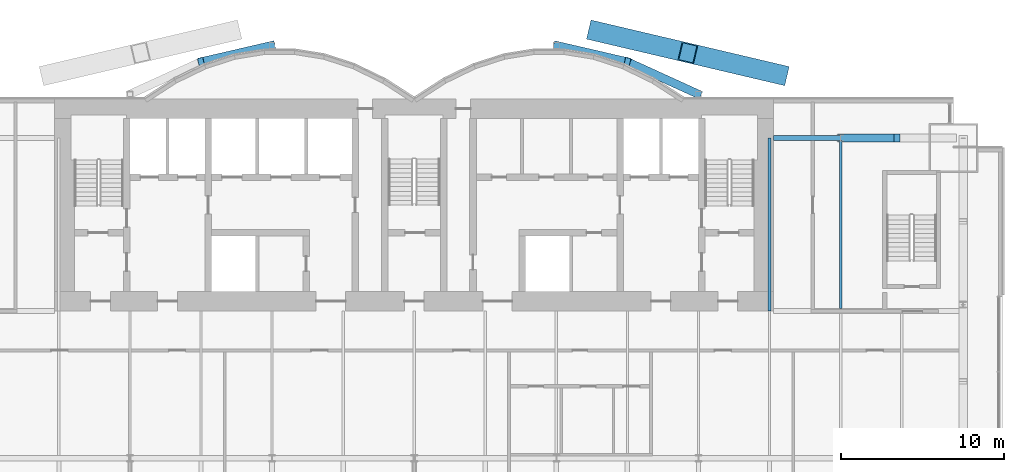
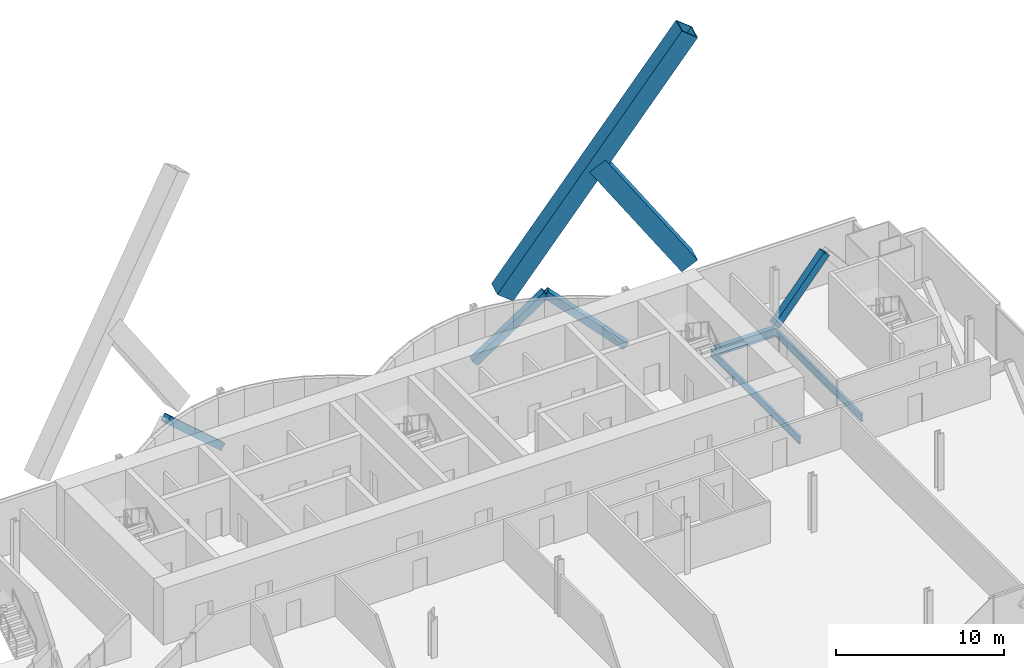
# One storey, part 12 of 22: 6 members, 3 beams.
"""IFC4 building model written with IfcOpenShell, lengths in metres."""

from ifc_helpers import new_model, si_unit, direction, frame, origin, origin_2d, place, context, subcontext, project, spatial, hollow_rectangle, i_section, extrude, material, material_profile, profile_set, type_object, element, save


model = new_model("IFC4")

# Units and contexts
model_context = context("Model", 3, precision=1e-05, world=origin(), true_north=direction((0.0, 1.0)))
body_context = subcontext(model_context, "Body", "Model", "MODEL_VIEW")
ifc_project = project(units=[si_unit("LENGTHUNIT", "METRE"), si_unit("AREAUNIT", "SQUARE_METRE"), si_unit("VOLUMEUNIT", "CUBIC_METRE"), si_unit("PLANEANGLEUNIT", "RADIAN"), si_unit("MASSUNIT", "GRAM", prefix="KILO")], contexts=[model_context])

# Site, building, storey
site_placement = place(None, origin())
site = spatial("IfcSite", under=ifc_project, at=site_placement, CompositionType="ELEMENT")
building_placement = place(site_placement, origin())
building = spatial("IfcBuilding", under=site, at=building_placement, Name="Bicima Exchange Tower", CompositionType="ELEMENT")
storey_placement = place(building_placement, frame((0.0, 0.0, 102.199951171875)))
storey = spatial("IfcBuildingStorey", under=building, at=storey_placement, Name="L21", CompositionType="ELEMENT", Elevation=102.199951171875)

# Members
ifc_material_1 = material(Name="Steel ASTM A572 Gr 50", Category="steel")
ifc_material_profile_1 = material_profile(ifc_material_1, hollow_rectangle(XDim=1.199951171875, YDim=1.199951171875, WallThickness=0.070068359375, at=origin_2d()))
ifc_profile_set_1 = profile_set([ifc_material_profile_1], Name="Steel ASTM A572 Gr 50")
member_type_1 = type_object("IfcMemberType", Name="Exo mega brace BOX 1200x1200x70", PredefinedType="BRACE", material=ifc_profile_set_1)
member_1_placement = place(storey_placement, frame((11.166748046875, 4.125, 3.63330078125), z_axis=(0.54817644634, -0.128864251848, 0.826375573377), x_axis=(0.228840031766, 0.973464041381, 0.0)))
element("IfcMember", 1, at=member_1_placement, inside=storey, type_object=member_type_1, Name="Exo mega brace rear", PredefinedType="BRACE", context=body_context, shape_type="SweptSolid", body=[
    extrude(hollow_rectangle(XDim=1.199951171875, YDim=1.199951171875, WallThickness=0.070068359375, at=origin_2d()), origin(), (0.0, 0.0, 1.0), 20.370361328125),
])
member_2_placement = place(storey_placement, frame((22.333251953125, 1.5, 3.63330078125), z_axis=(-0.54817644634, 0.128864251848, 0.826375573377), x_axis=(-0.228840031766, -0.973464041381, 0.0)))
element("IfcMember", 2, at=member_2_placement, inside=storey, type_object=member_type_1, Name="Exo mega brace rear", PredefinedType="BRACE", context=body_context, shape_type="SweptSolid", body=[
    extrude(hollow_rectangle(XDim=1.199951171875, YDim=1.199951171875, WallThickness=0.070068359375, at=origin_2d()), origin(), (0.0, 0.0, 1.0), 10.18505859375),
])

# Beams
ifc_material_2 = material(Name="Steel ASTM A992 Gr 50", Category="steel")
ifc_material_profile_2 = material_profile(ifc_material_2, i_section(OverallWidth=0.165771484375, OverallDepth=0.5283203125, WebThickness=0.009765625, FlangeThickness=0.013671875, at=origin_2d()))
ifc_profile_set_2 = profile_set([ifc_material_profile_2], Name="Steel ASTM A992 Gr 50")
beam_type_1 = type_object("IfcBeamType", Name="Floor beam W21x50", PredefinedType="JOIST", material=ifc_profile_set_2)
beam_1_placement = place(storey_placement, frame((21.75, -2.39990234375, -0.4140625), z_axis=(0.0, -1.0, 0.0), x_axis=(1.0, 0.0, 0.0)))
element("IfcBeam", 3, at=beam_1_placement, inside=storey, type_object=beam_type_1, Name="Floor beam", PredefinedType="JOIST", context=body_context, shape_type="SweptSolid", body=[
    extrude(i_section(OverallWidth=0.165771484375, OverallDepth=0.5283203125, WebThickness=0.009765625, FlangeThickness=0.013671875, at=origin_2d()), origin(), (0.0, 0.0, 1.0), 10.60009765625),
])
beam_2_placement = place(storey_placement, frame((26.10009765625, -2.5625, -0.4140625), z_axis=(0.0, -1.0, 0.0), x_axis=(1.0, 0.0, 0.0)))
element("IfcBeam", 4, at=beam_2_placement, inside=storey, type_object=beam_type_1, Name="Floor beam", PredefinedType="JOIST", context=body_context, shape_type="SweptSolid", body=[
    extrude(i_section(OverallWidth=0.165771484375, OverallDepth=0.5283203125, WebThickness=0.009765625, FlangeThickness=0.013671875, at=origin_2d()), origin(), (0.0, 0.0, 1.0), 10.28515625),
])

# Members
ifc_material_profile_3 = material_profile(ifc_material_1, hollow_rectangle(XDim=0.508056640625, YDim=0.508056640625, WallThickness=0.0146484375, at=origin_2d()))
ifc_profile_set_3 = profile_set([ifc_material_profile_3], Name="Steel ASTM A572 Gr 50")
member_type_2 = type_object("IfcMemberType", Name="Mega brace HSS20x20x5/8", PredefinedType="BRACE", material=ifc_profile_set_3)
for number, where, z_axis, x_axis, name in (
    (5, (-8.699951171875, 3.26904296875, 0.0), (-0.717605620354, -0.166050509188, 0.676364843878), (0.225438503722, -0.974257399787, 0.0), "Mega brace rexo"),
    (6, (8.699951171875, 3.26904296875, 0.0), (0.717605620354, -0.166050509188, 0.676364843878), (0.225438503722, 0.974257399787, 0.0), "Mega brace rexo"),
):
    element("IfcMember", number, at=place(storey_placement, frame(where, z_axis=z_axis, x_axis=x_axis)), inside=storey, type_object=member_type_2, Name=name, PredefinedType="BRACE", context=body_context, shape_type="SweptSolid", body=[
        extrude(hollow_rectangle(XDim=0.508056640625, YDim=0.508056640625, WallThickness=0.0146484375, at=origin_2d()), origin(), (0.0, 0.0, 1.0), 6.06201171875),
    ])
member_3_placement = place(storey_placement, frame((17.39990234375, 0.278076171875, 0.0), z_axis=(-0.690628963585, 0.315060460011, 0.650975069565), x_axis=(-0.415045223819, -0.909800781592, 0.0)))
element("IfcMember", 7, at=member_3_placement, inside=storey, type_object=member_type_2, Name="Mega brace rexo", PredefinedType="BRACE", context=body_context, shape_type="SweptSolid", body=[
    extrude(hollow_rectangle(XDim=0.508056640625, YDim=0.508056640625, WallThickness=0.0146484375, at=origin_2d()), origin(), (0.0, 0.0, 1.0), 6.29833984375),
])
member_4_placement = place(storey_placement, frame((26.10009765625, -2.39990234375, 0.0), z_axis=(0.643834042494, 0.0, 0.765165162384), x_axis=(0.0, 1.0, 0.0)))
element("IfcMember", 8, at=member_4_placement, inside=storey, type_object=member_type_2, Name="Mega brace rear", PredefinedType="BRACE", context=body_context, shape_type="SweptSolid", body=[
    extrude(hollow_rectangle(XDim=0.508056640625, YDim=0.508056640625, WallThickness=0.0146484375, at=origin_2d()), origin(), (0.0, 0.0, 1.0), 5.3583984375),
])

# Beam
ifc_material_profile_4 = material_profile(ifc_material_2, i_section(OverallWidth=0.3251953125, OverallDepth=0.612060546875, WebThickness=0.0126953125, FlangeThickness=0.01904296875, at=origin_2d()))
ifc_profile_set_4 = profile_set([ifc_material_profile_4], Name="Steel ASTM A992 Gr 50")
beam_type_2 = type_object("IfcBeamType", Name="Rear girder W24x104", PredefinedType="BEAM", material=ifc_profile_set_4)
beam_3_placement = place(storey_placement, frame((22.0, -2.39990234375, -0.4560546875), z_axis=(1.0, 0.0, 0.0), x_axis=(0.0, 1.0, 0.0)))
element("IfcBeam", 9, at=beam_3_placement, inside=storey, type_object=beam_type_2, Name="Rear girder", PredefinedType="BEAM", context=body_context, shape_type="SweptSolid", body=[
    extrude(i_section(OverallWidth=0.3251953125, OverallDepth=0.612060546875, WebThickness=0.0126953125, FlangeThickness=0.01904296875, at=origin_2d()), origin(), (0.0, 0.0, 1.0), 4.10009765625),
])

save(model, "model.ifc")
